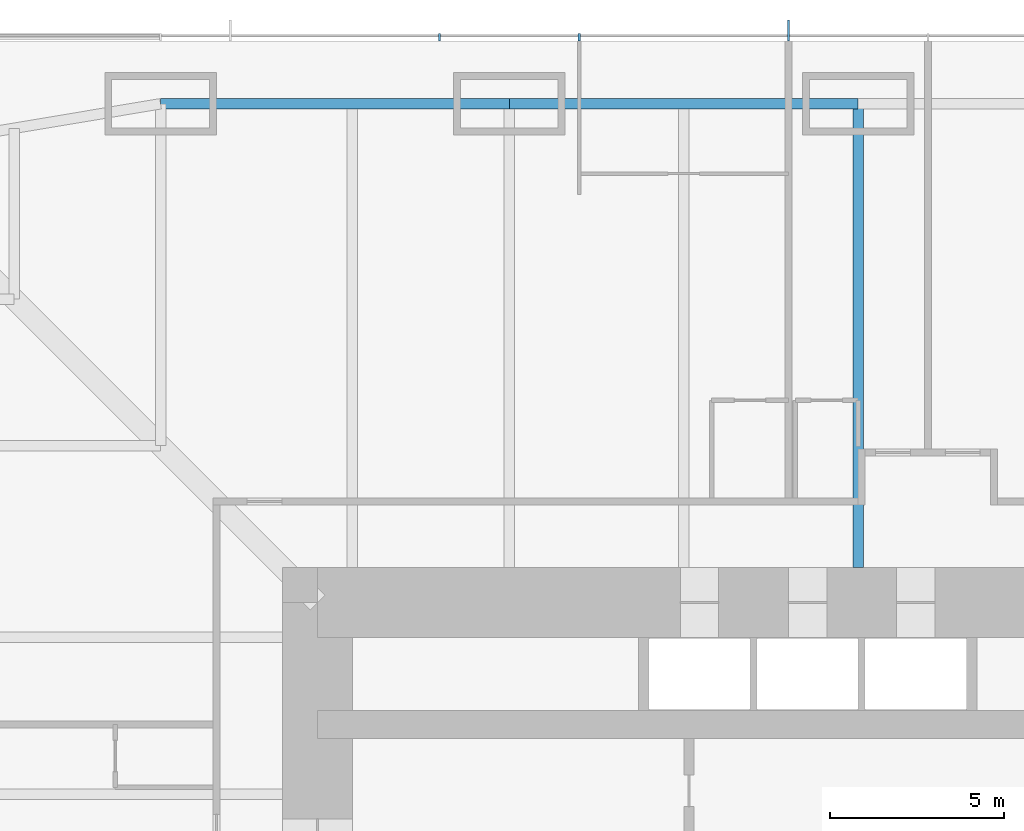
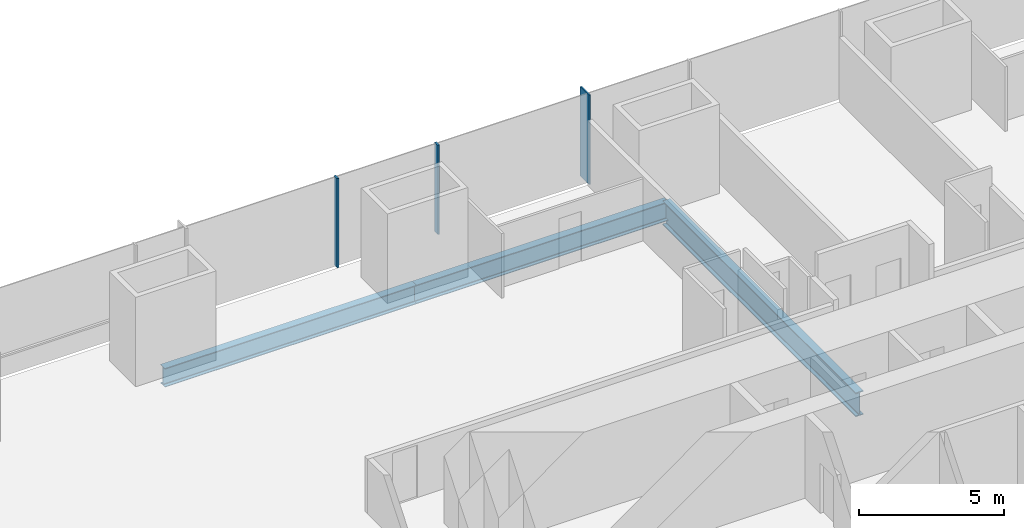
# One storey, part 7 of 17: 3 beams, 3 members, 1 element without a shape of its own.
"""IFC4 building model written with IfcOpenShell, lengths in metres."""

from ifc_helpers import new_model, si_unit, direction, frame, origin, origin_2d, place, context, subcontext, project, spatial, rectangle, i_section, extrude, material, material_profile, profile_set, type_object, element, aggregate, save


model = new_model("IFC4")

# Units and contexts
model_context = context("Model", 3, precision=1e-05, world=origin(), true_north=direction((0.0, 1.0)))
body_context = subcontext(model_context, "Body", "Model", "MODEL_VIEW")
ifc_project = project(units=[si_unit("LENGTHUNIT", "METRE"), si_unit("AREAUNIT", "SQUARE_METRE"), si_unit("VOLUMEUNIT", "CUBIC_METRE"), si_unit("PLANEANGLEUNIT", "RADIAN"), si_unit("MASSUNIT", "GRAM", prefix="KILO")], contexts=[model_context])

# Site, building, storey
site_placement = place(None, origin())
site = spatial("IfcSite", under=ifc_project, at=site_placement, CompositionType="ELEMENT")
building_placement = place(site_placement, origin())
building = spatial("IfcBuilding", under=site, at=building_placement, Name="Khuree Lantern Residences", CompositionType="ELEMENT")
storey_placement = place(building_placement, frame((0.0, 0.0, 43.5)))
storey = spatial("IfcBuildingStorey", under=building, at=storey_placement, Name="L10", CompositionType="ELEMENT", Elevation=43.5)

# Beams
ifc_material_1 = material(Name="Steel S355", Category="steel")
ifc_material_profile_1 = material_profile(ifc_material_1, i_section(OverallWidth=0.300048828125, OverallDepth=0.7900390625, WebThickness=0.014892578125, FlangeThickness=0.028076171875, FilletRadius=0.030029296875, at=origin_2d()), Name="HE 800 A")
ifc_profile_set_1 = profile_set([ifc_material_profile_1], Name="Steel S355")
beam_type_1 = type_object("IfcBeamType", Name="E-12 SPANDREL BEAM HE 800 A", PredefinedType="SPANDREL", material=ifc_profile_set_1)
for number, where, z_axis, x_axis, name in (
    (1, (-20.0, 29.800048828125, -0.64501953125), (1.0, 0.0, 0.0), (0.0, 1.0, 0.0), "Spandrel beam N1"),
    (2, (-10.0, 29.800048828125, -0.64501953125), (1.0, 0.0, 0.0), (0.0, 1.0, 0.0), "Spandrel beam N2"),
):
    element("IfcBeam", number, at=place(storey_placement, frame(where, z_axis=z_axis, x_axis=x_axis)), inside=storey, type_object=beam_type_1, Name=name, PredefinedType="SPANDREL", context=body_context, shape_type="SweptSolid", body=[
        extrude(i_section(OverallWidth=0.300048828125, OverallDepth=0.7900390625, WebThickness=0.014892578125, FlangeThickness=0.028076171875, FilletRadius=0.030029296875, at=origin_2d()), origin(), (0.0, 0.0, 1.0), 10.0),
    ])

# Curtain wall, member
ifc_material_2 = material(Name="Bronze anodised aluminium", Category="aluminium")
curtain_wall_type = type_object("IfcCurtainWallType", Name="CW-T1 TOWER FACE CURTAIN WALL", PredefinedType="USERDEFINED", material=ifc_material_2)
curtain_wall_placement = place(storey_placement, origin())
curtain_wall = element("IfcCurtainWall", 3, at=curtain_wall_placement, inside=storey, type_object=curtain_wall_type, Name="L10 NORTH FACE CURTAIN WALL", ObjectType="Stick-built curtain wall", PredefinedType="USERDEFINED")
ifc_material_profile_2 = material_profile(ifc_material_2, rectangle(XDim=0.06494140625, YDim=0.60009765625, at=origin_2d()), Name="F1 65X600")
ifc_profile_set_2 = profile_set([ifc_material_profile_2], Name="Bronze anodised aluminium")
member_type_1 = type_object("IfcMemberType", Name="F1 BRONZE FIN MULLION TOWER 65X600", PredefinedType="MULLION", material=ifc_profile_set_2)
member_1_placement = place(storey_placement, frame((-2.0, 31.89990234375, 0.0), z_axis=(0.0, 0.0, 1.0), x_axis=(-1.0, 0.0, 0.0)))
member_1 = element("IfcMember", 4, at=member_1_placement, type_object=member_type_1, Name="L10 NORTH FACE FIN MULLION 24", PredefinedType="MULLION", context=body_context, shape_type="SweptSolid", body=[
    extrude(rectangle(XDim=0.06494140625, YDim=0.60009765625, at=origin_2d()), origin(), (0.0, 0.0, 1.0), 3.75),
])

# Beam
ifc_material_profile_3 = material_profile(ifc_material_1, i_section(OverallWidth=0.302001953125, OverallDepth=1.008056640625, WebThickness=0.02099609375, FlangeThickness=0.0400390625, FilletRadius=0.030029296875, at=origin_2d()), Name="HE 1000 M")
ifc_profile_set_3 = profile_set([ifc_material_profile_3], Name="Steel S355")
beam_type_2 = type_object("IfcBeamType", Name="G-12 GIRDER HE 1000 M", PredefinedType="BEAM", material=ifc_profile_set_3)
beam_placement = place(storey_placement, frame((0.0, 29.800048828125, -0.75390625), z_axis=(0.0, -1.0, 0.0), x_axis=(1.0, 0.0, 0.0)))
element("IfcBeam", 5, at=beam_placement, inside=storey, type_object=beam_type_2, Name="Girder N3", PredefinedType="BEAM", context=body_context, shape_type="SweptSolid", body=[
    extrude(i_section(OverallWidth=0.302001953125, OverallDepth=1.008056640625, WebThickness=0.02099609375, FlangeThickness=0.0400390625, FilletRadius=0.030029296875, at=origin_2d()), origin(), (0.0, 0.0, 1.0), 13.300048828125),
])

# Member
ifc_material_profile_4 = material_profile(ifc_material_2, rectangle(XDim=0.06494140625, YDim=0.219970703125, at=origin_2d()), Name="M1 65X220")
ifc_profile_set_4 = profile_set([ifc_material_profile_4], Name="Bronze anodised aluminium")
member_type_2 = type_object("IfcMemberType", Name="M1 BRONZE MULLION TOWER 65X220", PredefinedType="MULLION", material=ifc_profile_set_4)
member_2_placement = place(storey_placement, frame((-8.0, 31.7099609375, 0.0), z_axis=(0.0, 0.0, 1.0), x_axis=(-1.0, 0.0, 0.0)))
member_2 = element("IfcMember", 6, at=member_2_placement, type_object=member_type_2, Name="L10 NORTH FACE MULLION 25", PredefinedType="MULLION", context=body_context, shape_type="SweptSolid", body=[
    extrude(rectangle(XDim=0.06494140625, YDim=0.219970703125, at=origin_2d()), origin(), (0.0, 0.0, 1.0), 3.75),
])

member_3_placement = place(storey_placement, frame((-12.0, 31.7099609375, 0.0), z_axis=(0.0, 0.0, 1.0), x_axis=(-1.0, 0.0, 0.0)))
member_3 = element("IfcMember", 7, at=member_3_placement, type_object=member_type_2, Name="L10 NORTH FACE MULLION 26", PredefinedType="MULLION", context=body_context, shape_type="SweptSolid", body=[
    extrude(rectangle(XDim=0.06494140625, YDim=0.219970703125, at=origin_2d()), origin(), (0.0, 0.0, 1.0), 3.75),
])

aggregate(curtain_wall, [member_1, member_2, member_3])

save(model, "model.ifc")
